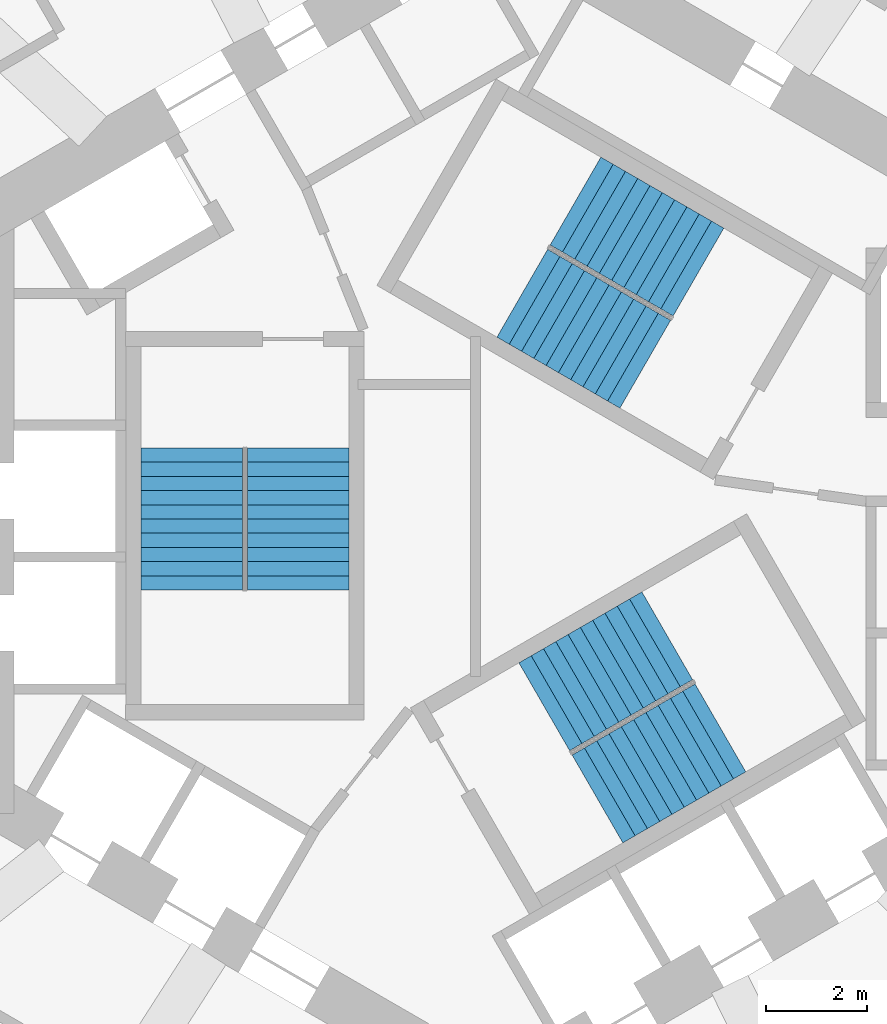
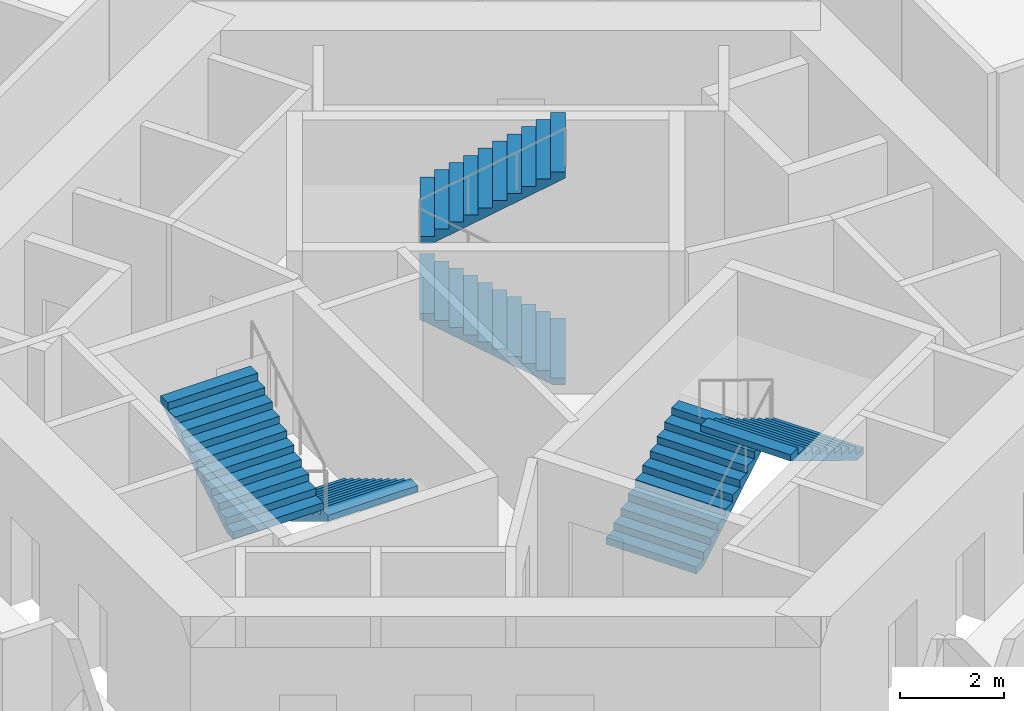
# One storey, part 9 of 11: 6 stair flights, 3 elements without a shape of their own.
"""IFC4 building model written with IfcOpenShell, lengths in metres."""

from ifc_helpers import new_model, si_unit, direction, frame, origin, place, context, subcontext, project, spatial, triangles, source, transform, mapped, material, type_object, element, aggregate, save


model = new_model("IFC4")

# Units and contexts
model_context = context("Model", 3, precision=1e-05, world=origin(), true_north=direction((0.0, 1.0)))
body_context = subcontext(model_context, "Body", "Model", "MODEL_VIEW")
ifc_project = project(units=[si_unit("LENGTHUNIT", "METRE"), si_unit("AREAUNIT", "SQUARE_METRE"), si_unit("VOLUMEUNIT", "CUBIC_METRE"), si_unit("PLANEANGLEUNIT", "RADIAN"), si_unit("MASSUNIT", "GRAM", prefix="KILO")], contexts=[model_context])

# Site, building, storey
site_placement = place(None, origin())
site = spatial("IfcSite", under=ifc_project, at=site_placement, CompositionType="ELEMENT")
building_placement = place(site_placement, origin())
building = spatial("IfcBuilding", under=site, at=building_placement, Name="Vanh Sen Convention Tower", CompositionType="ELEMENT")
storey_placement = place(building_placement, frame((0.0, 0.0, 202.10009765625)))
storey = spatial("IfcBuildingStorey", under=building, at=storey_placement, Name="L50", CompositionType="ELEMENT", Elevation=202.10009765625)

# Stair, stair flights
ifc_material_1 = material(Name="Concrete C50/60", Category="concrete")
stair_type_1 = type_object("IfcStairType", Name="Exit stair ST1 22 risers at 168.2", PredefinedType="HALF_TURN_STAIR", material=ifc_material_1)
stair_1_placement = place(storey_placement, origin())
stair_1 = element("IfcStair", 1, at=stair_1_placement, inside=storey, type_object=stair_type_1, Name="Exit stair ST1 L50", PredefinedType="HALF_TURN_STAIR")
ifc_material_2 = material(Name="Concrete C40/50", Category="concrete")
stair_flight_type = type_object("IfcStairFlightType", Name="Stair flight 2000", PredefinedType="STRAIGHT", material=ifc_material_2)
shared_shape = source(origin(), body_context, "Body", "Tessellation", [
    triangles([(0.24267578125, 1.0, 0.0), (0.0, 1.0, 0.0), (0.0, 1.0, 0.168212890625), (0.280029296875, 1.0, 0.168212890625), (0.280029296875, 1.0, 0.33642578125), (0.56005859375, 1.0, 0.33642578125), (0.56005859375, 1.0, 0.504638671875), (0.840087890625, 1.0, 0.504638671875), (0.840087890625, 1.0, 0.672607421875), (1.1201171875, 1.0, 0.672607421875), (1.1201171875, 1.0, 0.8408203125), (1.39990234375, 1.0, 0.8408203125), (1.39990234375, 1.0, 1.009033203125), (1.679931640625, 1.0, 1.009033203125), (1.679931640625, 1.0, 1.17724609375), (1.9599609375, 1.0, 1.17724609375), (1.9599609375, 1.0, 1.345458984375), (2.239990234375, 1.0, 1.345458984375), (2.239990234375, 1.0, 1.513671875), (2.52001953125, 1.0, 1.513671875), (2.52001953125, 1.0, 1.681884765625), (2.800048828125, 1.0, 1.681884765625), (2.800048828125, 1.0, 1.535888671875), (0.24267578125, -1.0, 0.0), (0.0, -1.0, 0.0), (0.0, -1.0, 0.168212890625), (0.280029296875, -1.0, 0.168212890625), (0.280029296875, -1.0, 0.33642578125), (0.56005859375, -1.0, 0.33642578125), (0.56005859375, -1.0, 0.504638671875), (0.840087890625, -1.0, 0.504638671875), (0.840087890625, -1.0, 0.672607421875), (1.1201171875, -1.0, 0.672607421875), (1.1201171875, -1.0, 0.8408203125), (1.39990234375, -1.0, 0.8408203125), (1.39990234375, -1.0, 1.009033203125), (1.679931640625, -1.0, 1.009033203125), (1.679931640625, -1.0, 1.17724609375), (1.9599609375, -1.0, 1.17724609375), (1.9599609375, -1.0, 1.345458984375), (2.239990234375, -1.0, 1.345458984375), (2.239990234375, -1.0, 1.513671875), (2.52001953125, -1.0, 1.513671875), (2.52001953125, -1.0, 1.681884765625), (2.800048828125, -1.0, 1.681884765625), (2.800048828125, -1.0, 1.535888671875), (0.0, 0.0400390625, 0.0), (0.0, 0.0390625, 0.0), (0.0, 0.0380859375, 0.0), (0.0, 0.037109375, 0.0), (0.0, 0.035888671875, 0.0), (0.0, 0.034912109375, 0.0), (0.0, 0.033935546875, 0.0), (0.0, 0.032958984375, 0.0), (0.0, 0.031982421875, 0.0), (0.0, 0.031005859375, 0.0), (0.0, 0.030029296875, 0.0), (0.0, 0.029052734375, 0.0), (0.0, 0.028076171875, 0.0), (0.0, 0.027099609375, 0.0), (0.0, 0.02587890625, 0.0), (0.0, 0.02490234375, 0.0), (0.0, 0.02392578125, 0.0), (0.0, 0.02294921875, 0.0), (0.0, 0.02197265625, 0.0), (0.0, 0.02099609375, 0.0), (0.0, 0.02001953125, 0.0), (0.0, 0.01904296875, 0.0), (0.0, 0.01806640625, 0.0), (0.0, 0.01708984375, 0.0), (0.0, 0.01611328125, 0.0), (0.0, 0.014892578125, 0.0), (0.0, 0.013916015625, 0.0), (0.0, 0.012939453125, 0.0), (0.0, 0.011962890625, 0.0), (0.0, 0.010986328125, 0.0), (0.0, 0.010009765625, 0.0), (0.0, 0.009033203125, 0.0), (0.0, 0.008056640625, 0.0), (0.0, 0.007080078125, 0.0), (0.0, 0.006103515625, 0.0), (0.0, 0.0048828125, 0.0), (0.0, 0.00390625, 0.0), (0.0, 0.0029296875, 0.0), (0.0, 0.001953125, 0.0), (0.0, 0.0009765625, 0.0), (0.0, 0.0, 0.0), (0.0, -0.0009765625, 0.0), (0.0, -0.001953125, 0.0), (0.0, -0.0029296875, 0.0), (0.0, -0.00390625, 0.0), (0.0, -0.0048828125, 0.0), (0.0, -0.006103515625, 0.0), (0.0, -0.007080078125, 0.0), (0.0, -0.008056640625, 0.0), (0.0, -0.009033203125, 0.0), (0.0, -0.010009765625, 0.0), (0.0, -0.010986328125, 0.0), (0.0, -0.011962890625, 0.0), (0.0, -0.012939453125, 0.0), (0.0, -0.013916015625, 0.0), (0.0, -0.014892578125, 0.0), (0.0, -0.01611328125, 0.0), (0.0, -0.01708984375, 0.0), (0.0, -0.01806640625, 0.0), (0.0, -0.01904296875, 0.0), (0.0, -0.02001953125, 0.0), (0.0, -0.02099609375, 0.0), (0.0, -0.02197265625, 0.0), (0.0, -0.02294921875, 0.0), (0.0, -0.02392578125, 0.0), (0.0, -0.02490234375, 0.0), (0.0, -0.02587890625, 0.0), (0.0, -0.027099609375, 0.0), (0.0, -0.028076171875, 0.0), (0.0, -0.029052734375, 0.0), (0.0, -0.030029296875, 0.0), (0.0, -0.031005859375, 0.0), (0.0, -0.031982421875, 0.0), (0.0, -0.032958984375, 0.0), (0.0, -0.033935546875, 0.0), (0.0, -0.034912109375, 0.0), (0.0, -0.035888671875, 0.0), (0.0, -0.037109375, 0.0), (0.0, -0.0380859375, 0.0), (0.0, -0.0390625, 0.0), (0.0, -0.0400390625, 0.0), (0.0, 0.0400390625, 0.168212890625), (0.0, 0.0390625, 0.168212890625), (0.0, 0.0380859375, 0.168212890625), (0.0, 0.037109375, 0.168212890625), (0.0, 0.035888671875, 0.168212890625), (0.0, 0.034912109375, 0.168212890625), (0.0, 0.033935546875, 0.168212890625), (0.0, 0.032958984375, 0.168212890625), (0.0, 0.031982421875, 0.168212890625), (0.0, 0.031005859375, 0.168212890625), (0.0, 0.030029296875, 0.168212890625), (0.0, 0.029052734375, 0.168212890625), (0.0, 0.028076171875, 0.168212890625), (0.0, 0.027099609375, 0.168212890625), (0.0, 0.02587890625, 0.168212890625), (0.0, 0.02490234375, 0.168212890625), (0.0, 0.02392578125, 0.168212890625), (0.0, 0.02294921875, 0.168212890625), (0.0, 0.02197265625, 0.168212890625), (0.0, 0.02099609375, 0.168212890625), (0.0, 0.02001953125, 0.168212890625), (0.0, 0.01904296875, 0.168212890625), (0.0, 0.01806640625, 0.168212890625), (0.0, 0.01708984375, 0.168212890625), (0.0, 0.01611328125, 0.168212890625), (0.0, 0.014892578125, 0.168212890625), (0.0, 0.013916015625, 0.168212890625), (0.0, 0.012939453125, 0.168212890625), (0.0, 0.011962890625, 0.168212890625), (0.0, 0.010986328125, 0.168212890625), (0.0, 0.010009765625, 0.168212890625), (0.0, 0.009033203125, 0.168212890625), (0.0, 0.008056640625, 0.168212890625), (0.0, 0.007080078125, 0.168212890625), (0.0, 0.006103515625, 0.168212890625), (0.0, 0.0048828125, 0.168212890625), (0.0, 0.00390625, 0.168212890625), (0.0, 0.0029296875, 0.168212890625), (0.0, 0.001953125, 0.168212890625), (0.0, 0.0009765625, 0.168212890625), (0.0, 0.0, 0.168212890625), (0.0, -0.0009765625, 0.168212890625), (0.0, -0.001953125, 0.168212890625), (0.0, -0.0029296875, 0.168212890625), (0.0, -0.00390625, 0.168212890625), (0.0, -0.0048828125, 0.168212890625), (0.0, -0.006103515625, 0.168212890625), (0.0, -0.007080078125, 0.168212890625), (0.0, -0.008056640625, 0.168212890625), (0.0, -0.009033203125, 0.168212890625), (0.0, -0.010009765625, 0.168212890625), (0.0, -0.010986328125, 0.168212890625), (0.0, -0.011962890625, 0.168212890625), (0.0, -0.012939453125, 0.168212890625), (0.0, -0.013916015625, 0.168212890625), (0.0, -0.014892578125, 0.168212890625), (0.0, -0.01611328125, 0.168212890625), (0.0, -0.01708984375, 0.168212890625), (0.0, -0.01806640625, 0.168212890625), (0.0, -0.01904296875, 0.168212890625), (0.0, -0.02001953125, 0.168212890625), (0.0, -0.02099609375, 0.168212890625), (0.0, -0.02197265625, 0.168212890625), (0.0, -0.02294921875, 0.168212890625), (0.0, -0.02392578125, 0.168212890625), (0.0, -0.02490234375, 0.168212890625), (0.0, -0.02587890625, 0.168212890625), (0.0, -0.027099609375, 0.168212890625), (0.0, -0.028076171875, 0.168212890625), (0.0, -0.029052734375, 0.168212890625), (0.0, -0.030029296875, 0.168212890625), (0.0, -0.031005859375, 0.168212890625), (0.0, -0.031982421875, 0.168212890625), (0.0, -0.032958984375, 0.168212890625), (0.0, -0.033935546875, 0.168212890625), (0.0, -0.034912109375, 0.168212890625), (0.0, -0.035888671875, 0.168212890625), (0.0, -0.037109375, 0.168212890625), (0.0, -0.0380859375, 0.168212890625), (0.0, -0.0390625, 0.168212890625), (0.0, -0.0400390625, 0.168212890625), (0.280029296875, 0.0, 0.168212890625), (0.280029296875, 0.0, 0.33642578125), (0.56005859375, 0.0, 0.33642578125), (0.56005859375, 0.0, 0.504638671875), (0.840087890625, 0.0, 0.504638671875), (0.840087890625, 0.0, 0.672607421875), (1.1201171875, 0.0, 0.672607421875), (1.1201171875, 0.0, 0.8408203125), (1.39990234375, 0.0, 0.8408203125), (1.39990234375, 0.0, 1.009033203125), (1.679931640625, 0.0, 1.009033203125), (1.679931640625, 0.0, 1.17724609375), (1.9599609375, 0.0, 1.17724609375), (1.9599609375, 0.0, 1.345458984375), (2.239990234375, 0.0, 1.345458984375), (2.239990234375, 0.0, 1.513671875), (2.52001953125, 0.0, 1.513671875), (2.52001953125, 0.0, 1.681884765625), (2.800048828125, 0.0400390625, 1.681884765625), (2.800048828125, 0.0390625, 1.681884765625), (2.800048828125, 0.0380859375, 1.681884765625), (2.800048828125, 0.037109375, 1.681884765625), (2.800048828125, 0.035888671875, 1.681884765625), (2.800048828125, 0.034912109375, 1.681884765625), (2.800048828125, 0.033935546875, 1.681884765625), (2.800048828125, 0.032958984375, 1.681884765625), (2.800048828125, 0.031982421875, 1.681884765625), (2.800048828125, 0.031005859375, 1.681884765625), (2.800048828125, 0.030029296875, 1.681884765625), (2.800048828125, 0.029052734375, 1.681884765625), (2.800048828125, 0.028076171875, 1.681884765625), (2.800048828125, 0.027099609375, 1.681884765625), (2.800048828125, 0.02587890625, 1.681884765625), (2.800048828125, 0.02490234375, 1.681884765625), (2.800048828125, 0.02392578125, 1.681884765625), (2.800048828125, 0.02294921875, 1.681884765625), (2.800048828125, 0.02197265625, 1.681884765625), (2.800048828125, 0.02099609375, 1.681884765625), (2.800048828125, 0.02001953125, 1.681884765625), (2.800048828125, 0.01904296875, 1.681884765625), (2.800048828125, 0.01806640625, 1.681884765625), (2.800048828125, 0.01708984375, 1.681884765625), (2.800048828125, 0.01611328125, 1.681884765625), (2.800048828125, 0.014892578125, 1.681884765625), (2.800048828125, 0.013916015625, 1.681884765625), (2.800048828125, 0.012939453125, 1.681884765625), (2.800048828125, 0.011962890625, 1.681884765625), (2.800048828125, 0.010986328125, 1.681884765625), (2.800048828125, 0.010009765625, 1.681884765625), (2.800048828125, 0.009033203125, 1.681884765625), (2.800048828125, 0.008056640625, 1.681884765625), (2.800048828125, 0.007080078125, 1.681884765625), (2.800048828125, 0.006103515625, 1.681884765625), (2.800048828125, 0.0048828125, 1.681884765625), (2.800048828125, 0.00390625, 1.681884765625), (2.800048828125, 0.0029296875, 1.681884765625), (2.800048828125, 0.001953125, 1.681884765625), (2.800048828125, 0.0009765625, 1.681884765625), (2.800048828125, 0.0, 1.681884765625), (2.800048828125, -0.0009765625, 1.681884765625), (2.800048828125, -0.001953125, 1.681884765625), (2.800048828125, -0.0029296875, 1.681884765625), (2.800048828125, -0.00390625, 1.681884765625), (2.800048828125, -0.0048828125, 1.681884765625), (2.800048828125, -0.006103515625, 1.681884765625), (2.800048828125, -0.007080078125, 1.681884765625), (2.800048828125, -0.008056640625, 1.681884765625), (2.800048828125, -0.009033203125, 1.681884765625), (2.800048828125, -0.010009765625, 1.681884765625), (2.800048828125, -0.010986328125, 1.681884765625), (2.800048828125, -0.011962890625, 1.681884765625), (2.800048828125, -0.012939453125, 1.681884765625), (2.800048828125, -0.013916015625, 1.681884765625), (2.800048828125, -0.014892578125, 1.681884765625), (2.800048828125, -0.01611328125, 1.681884765625), (2.800048828125, -0.01708984375, 1.681884765625), (2.800048828125, -0.01806640625, 1.681884765625), (2.800048828125, -0.01904296875, 1.681884765625), (2.800048828125, -0.02001953125, 1.681884765625), (2.800048828125, -0.02099609375, 1.681884765625), (2.800048828125, -0.02197265625, 1.681884765625), (2.800048828125, -0.02294921875, 1.681884765625), (2.800048828125, -0.02392578125, 1.681884765625), (2.800048828125, -0.02490234375, 1.681884765625), (2.800048828125, -0.02587890625, 1.681884765625), (2.800048828125, -0.027099609375, 1.681884765625), (2.800048828125, -0.028076171875, 1.681884765625), (2.800048828125, -0.029052734375, 1.681884765625), (2.800048828125, -0.030029296875, 1.681884765625), (2.800048828125, -0.031005859375, 1.681884765625), (2.800048828125, -0.031982421875, 1.681884765625), (2.800048828125, -0.032958984375, 1.681884765625), (2.800048828125, -0.033935546875, 1.681884765625), (2.800048828125, -0.034912109375, 1.681884765625), (2.800048828125, -0.035888671875, 1.681884765625), (2.800048828125, -0.037109375, 1.681884765625), (2.800048828125, -0.0380859375, 1.681884765625), (2.800048828125, -0.0390625, 1.681884765625), (2.800048828125, -0.0400390625, 1.681884765625), (2.800048828125, 0.0400390625, 1.535888671875), (2.800048828125, 0.0390625, 1.535888671875), (2.800048828125, 0.0380859375, 1.535888671875), (2.800048828125, 0.037109375, 1.535888671875), (2.800048828125, 0.035888671875, 1.535888671875), (2.800048828125, 0.034912109375, 1.535888671875), (2.800048828125, 0.033935546875, 1.535888671875), (2.800048828125, 0.032958984375, 1.535888671875), (2.800048828125, 0.031982421875, 1.535888671875), (2.800048828125, 0.031005859375, 1.535888671875), (2.800048828125, 0.030029296875, 1.535888671875), (2.800048828125, 0.029052734375, 1.535888671875), (2.800048828125, 0.028076171875, 1.535888671875), (2.800048828125, 0.027099609375, 1.535888671875), (2.800048828125, 0.02587890625, 1.535888671875), (2.800048828125, 0.02490234375, 1.535888671875), (2.800048828125, 0.02392578125, 1.535888671875), (2.800048828125, 0.02294921875, 1.535888671875), (2.800048828125, 0.02197265625, 1.535888671875), (2.800048828125, 0.02099609375, 1.535888671875), (2.800048828125, 0.02001953125, 1.535888671875), (2.800048828125, 0.01904296875, 1.535888671875), (2.800048828125, 0.01806640625, 1.535888671875), (2.800048828125, 0.01708984375, 1.535888671875), (2.800048828125, 0.01611328125, 1.535888671875), (2.800048828125, 0.014892578125, 1.535888671875), (2.800048828125, 0.013916015625, 1.535888671875), (2.800048828125, 0.012939453125, 1.535888671875), (2.800048828125, 0.011962890625, 1.535888671875), (2.800048828125, 0.010986328125, 1.535888671875), (2.800048828125, 0.010009765625, 1.535888671875), (2.800048828125, 0.009033203125, 1.535888671875), (2.800048828125, 0.008056640625, 1.535888671875), (2.800048828125, 0.007080078125, 1.535888671875), (2.800048828125, 0.006103515625, 1.535888671875), (2.800048828125, 0.0048828125, 1.535888671875), (2.800048828125, 0.00390625, 1.535888671875), (2.800048828125, 0.0029296875, 1.535888671875), (2.800048828125, 0.001953125, 1.535888671875), (2.800048828125, 0.0009765625, 1.535888671875), (2.800048828125, 0.0, 1.535888671875), (2.800048828125, -0.0009765625, 1.535888671875), (2.800048828125, -0.001953125, 1.535888671875), (2.800048828125, -0.0029296875, 1.535888671875), (2.800048828125, -0.00390625, 1.535888671875), (2.800048828125, -0.0048828125, 1.535888671875), (2.800048828125, -0.006103515625, 1.535888671875), (2.800048828125, -0.007080078125, 1.535888671875), (2.800048828125, -0.008056640625, 1.535888671875), (2.800048828125, -0.009033203125, 1.535888671875), (2.800048828125, -0.010009765625, 1.535888671875), (2.800048828125, -0.010986328125, 1.535888671875), (2.800048828125, -0.011962890625, 1.535888671875), (2.800048828125, -0.012939453125, 1.535888671875), (2.800048828125, -0.013916015625, 1.535888671875), (2.800048828125, -0.014892578125, 1.535888671875), (2.800048828125, -0.01611328125, 1.535888671875), (2.800048828125, -0.01708984375, 1.535888671875), (2.800048828125, -0.01806640625, 1.535888671875), (2.800048828125, -0.01904296875, 1.535888671875), (2.800048828125, -0.02001953125, 1.535888671875), (2.800048828125, -0.02099609375, 1.535888671875), (2.800048828125, -0.02197265625, 1.535888671875), (2.800048828125, -0.02294921875, 1.535888671875), (2.800048828125, -0.02392578125, 1.535888671875), (2.800048828125, -0.02490234375, 1.535888671875), (2.800048828125, -0.02587890625, 1.535888671875), (2.800048828125, -0.027099609375, 1.535888671875), (2.800048828125, -0.028076171875, 1.535888671875), (2.800048828125, -0.029052734375, 1.535888671875), (2.800048828125, -0.030029296875, 1.535888671875), (2.800048828125, -0.031005859375, 1.535888671875), (2.800048828125, -0.031982421875, 1.535888671875), (2.800048828125, -0.032958984375, 1.535888671875), (2.800048828125, -0.033935546875, 1.535888671875), (2.800048828125, -0.034912109375, 1.535888671875), (2.800048828125, -0.035888671875, 1.535888671875), (2.800048828125, -0.037109375, 1.535888671875), (2.800048828125, -0.0380859375, 1.535888671875), (2.800048828125, -0.0390625, 1.535888671875), (2.800048828125, -0.0400390625, 1.535888671875), (0.24267578125, 0.0, 0.0)], [[1, 2, 3], [1, 3, 4], [4, 5, 6], [1, 4, 6], [6, 7, 8], [1, 6, 8], [8, 9, 10], [1, 8, 10], [10, 11, 12], [1, 10, 12], [12, 13, 14], [1, 12, 14], [14, 15, 16], [1, 14, 16], [16, 17, 18], [1, 16, 18], [18, 19, 20], [1, 18, 20], [20, 21, 22], [1, 20, 22], [22, 23, 1], [24, 26, 25], [24, 27, 26], [27, 29, 28], [24, 29, 27], [29, 31, 30], [24, 31, 29], [31, 33, 32], [24, 33, 31], [33, 35, 34], [24, 35, 33], [35, 37, 36], [24, 37, 35], [37, 39, 38], [24, 39, 37], [39, 41, 40], [24, 41, 39], [41, 43, 42], [24, 43, 41], [43, 45, 44], [24, 45, 43], [45, 24, 46], [2, 128, 3], [2, 47, 128], [47, 129, 128], [47, 48, 129], [48, 130, 129], [48, 49, 130], [49, 131, 130], [49, 50, 131], [50, 132, 131], [50, 51, 132], [51, 133, 132], [51, 52, 133], [52, 134, 133], [52, 53, 134], [53, 135, 134], [53, 54, 135], [54, 136, 135], [54, 55, 136], [55, 137, 136], [55, 56, 137], [56, 138, 137], [56, 57, 138], [57, 139, 138], [57, 58, 139], [58, 140, 139], [58, 59, 140], [59, 141, 140], [59, 60, 141], [60, 142, 141], [60, 61, 142], [61, 143, 142], [61, 62, 143], [62, 144, 143], [62, 63, 144], [63, 145, 144], [63, 64, 145], [64, 146, 145], [64, 65, 146], [65, 147, 146], [65, 66, 147], [66, 148, 147], [66, 67, 148], [67, 149, 148], [67, 68, 149], [68, 150, 149], [68, 69, 150], [69, 151, 150], [69, 70, 151], [70, 152, 151], [70, 71, 152], [71, 153, 152], [71, 72, 153], [72, 154, 153], [72, 73, 154], [73, 155, 154], [73, 74, 155], [74, 156, 155], [74, 75, 156], [75, 157, 156], [75, 76, 157], [76, 158, 157], [76, 77, 158], [77, 159, 158], [77, 78, 159], [78, 160, 159], [78, 79, 160], [79, 161, 160], [79, 80, 161], [80, 162, 161], [80, 81, 162], [81, 163, 162], [81, 82, 163], [82, 164, 163], [82, 83, 164], [83, 165, 164], [83, 84, 165], [84, 166, 165], [84, 85, 166], [85, 167, 166], [85, 86, 167], [86, 168, 167], [86, 87, 168], [87, 88, 168], [168, 88, 169], [88, 89, 169], [169, 89, 170], [89, 90, 170], [170, 90, 171], [90, 91, 171], [171, 91, 172], [91, 92, 172], [172, 92, 173], [92, 93, 173], [173, 93, 174], [93, 94, 174], [174, 94, 175], [94, 95, 175], [175, 95, 176], [95, 96, 176], [176, 96, 177], [96, 97, 177], [177, 97, 178], [97, 98, 178], [178, 98, 179], [98, 99, 179], [179, 99, 180], [99, 100, 180], [180, 100, 181], [100, 101, 181], [181, 101, 182], [101, 102, 182], [182, 102, 183], [102, 103, 183], [183, 103, 184], [103, 104, 184], [184, 104, 185], [104, 105, 185], [185, 105, 186], [105, 106, 186], [186, 106, 187], [106, 107, 187], [187, 107, 188], [107, 108, 188], [188, 108, 189], [108, 109, 189], [189, 109, 190], [109, 110, 190], [190, 110, 191], [110, 111, 191], [191, 111, 192], [111, 112, 192], [192, 112, 193], [112, 113, 193], [193, 113, 194], [113, 114, 194], [194, 114, 195], [114, 115, 195], [195, 115, 196], [115, 116, 196], [196, 116, 197], [116, 117, 197], [197, 117, 198], [117, 118, 198], [198, 118, 199], [118, 119, 199], [199, 119, 200], [119, 120, 200], [200, 120, 201], [120, 121, 201], [201, 121, 202], [121, 122, 202], [202, 122, 203], [122, 123, 203], [203, 123, 204], [123, 124, 204], [204, 124, 205], [124, 125, 205], [205, 125, 206], [125, 126, 206], [206, 126, 207], [126, 127, 207], [207, 127, 208], [127, 25, 208], [208, 25, 26], [4, 3, 128], [4, 128, 129], [4, 129, 130], [4, 130, 131], [4, 131, 132], [4, 132, 133], [4, 133, 134], [4, 134, 135], [4, 135, 136], [4, 136, 137], [4, 137, 138], [4, 138, 139], [4, 139, 140], [4, 140, 141], [4, 141, 142], [4, 142, 143], [4, 143, 144], [4, 144, 145], [4, 145, 146], [4, 146, 147], [4, 147, 148], [4, 148, 149], [4, 149, 150], [4, 150, 151], [4, 151, 152], [4, 152, 153], [4, 153, 154], [4, 154, 155], [4, 155, 156], [4, 156, 157], [4, 157, 158], [4, 158, 159], [4, 159, 160], [4, 160, 161], [4, 161, 162], [4, 162, 163], [4, 163, 164], [4, 164, 165], [4, 165, 166], [4, 166, 167], [4, 167, 168], [27, 168, 169], [27, 169, 170], [27, 170, 171], [27, 171, 172], [27, 172, 173], [27, 173, 174], [27, 174, 175], [27, 175, 176], [27, 176, 177], [27, 177, 178], [27, 178, 179], [27, 179, 180], [27, 180, 181], [27, 181, 182], [27, 182, 183], [27, 183, 184], [27, 184, 185], [27, 185, 186], [27, 186, 187], [27, 187, 188], [27, 188, 189], [27, 189, 190], [27, 190, 191], [27, 191, 192], [27, 192, 193], [27, 193, 194], [27, 194, 195], [27, 195, 196], [27, 196, 197], [27, 197, 198], [27, 198, 199], [27, 199, 200], [27, 200, 201], [27, 201, 202], [27, 202, 203], [27, 203, 204], [27, 204, 205], [27, 205, 206], [27, 206, 207], [27, 207, 208], [27, 208, 26], [4, 168, 209], [27, 209, 168], [4, 210, 5], [4, 209, 210], [209, 27, 210], [210, 27, 28], [5, 211, 6], [5, 210, 211], [210, 28, 211], [211, 28, 29], [6, 212, 7], [6, 211, 212], [211, 29, 212], [212, 29, 30], [7, 213, 8], [7, 212, 213], [212, 30, 213], [213, 30, 31], [8, 214, 9], [8, 213, 214], [213, 31, 214], [214, 31, 32], [9, 215, 10], [9, 214, 215], [214, 32, 215], [215, 32, 33], [10, 216, 11], [10, 215, 216], [215, 33, 216], [216, 33, 34], [11, 217, 12], [11, 216, 217], [216, 34, 217], [217, 34, 35], [12, 218, 13], [12, 217, 218], [217, 35, 218], [218, 35, 36], [13, 219, 14], [13, 218, 219], [218, 36, 219], [219, 36, 37], [14, 220, 15], [14, 219, 220], [219, 37, 220], [220, 37, 38], [15, 221, 16], [15, 220, 221], [220, 38, 221], [221, 38, 39], [16, 222, 17], [16, 221, 222], [221, 39, 222], [222, 39, 40], [17, 223, 18], [17, 222, 223], [222, 40, 223], [223, 40, 41], [18, 224, 19], [18, 223, 224], [223, 41, 224], [224, 41, 42], [19, 225, 20], [19, 224, 225], [224, 42, 225], [225, 42, 43], [20, 226, 21], [20, 225, 226], [225, 43, 226], [226, 43, 44], [21, 227, 22], [21, 228, 227], [21, 229, 228], [21, 230, 229], [21, 231, 230], [21, 232, 231], [21, 233, 232], [21, 234, 233], [21, 235, 234], [21, 236, 235], [21, 237, 236], [21, 238, 237], [21, 239, 238], [21, 240, 239], [21, 241, 240], [21, 242, 241], [21, 243, 242], [21, 244, 243], [21, 245, 244], [21, 246, 245], [21, 247, 246], [21, 248, 247], [21, 249, 248], [21, 250, 249], [21, 251, 250], [21, 252, 251], [21, 253, 252], [21, 254, 253], [21, 255, 254], [21, 256, 255], [21, 257, 256], [21, 258, 257], [21, 259, 258], [21, 260, 259], [21, 261, 260], [21, 262, 261], [21, 263, 262], [21, 264, 263], [21, 265, 264], [21, 266, 265], [21, 267, 266], [44, 268, 267], [44, 269, 268], [44, 270, 269], [44, 271, 270], [44, 272, 271], [44, 273, 272], [44, 274, 273], [44, 275, 274], [44, 276, 275], [44, 277, 276], [44, 278, 277], [44, 279, 278], [44, 280, 279], [44, 281, 280], [44, 282, 281], [44, 283, 282], [44, 284, 283], [44, 285, 284], [44, 286, 285], [44, 287, 286], [44, 288, 287], [44, 289, 288], [44, 290, 289], [44, 291, 290], [44, 292, 291], [44, 293, 292], [44, 294, 293], [44, 295, 294], [44, 296, 295], [44, 297, 296], [44, 298, 297], [44, 299, 298], [44, 300, 299], [44, 301, 300], [44, 302, 301], [44, 303, 302], [44, 304, 303], [44, 305, 304], [44, 306, 305], [44, 307, 306], [44, 45, 307], [21, 226, 267], [44, 267, 226], [22, 308, 23], [22, 227, 308], [227, 309, 308], [227, 228, 309], [228, 310, 309], [228, 229, 310], [229, 311, 310], [229, 230, 311], [230, 312, 311], [230, 231, 312], [231, 313, 312], [231, 232, 313], [232, 314, 313], [232, 233, 314], [233, 315, 314], [233, 234, 315], [234, 316, 315], [234, 235, 316], [235, 317, 316], [235, 236, 317], [236, 318, 317], [236, 237, 318], [237, 319, 318], [237, 238, 319], [238, 320, 319], [238, 239, 320], [239, 321, 320], [239, 240, 321], [240, 322, 321], [240, 241, 322], [241, 323, 322], [241, 242, 323], [242, 324, 323], [242, 243, 324], [243, 325, 324], [243, 244, 325], [244, 326, 325], [244, 245, 326], [245, 327, 326], [245, 246, 327], [246, 328, 327], [246, 247, 328], [247, 329, 328], [247, 248, 329], [248, 330, 329], [248, 249, 330], [249, 331, 330], [249, 250, 331], [250, 332, 331], [250, 251, 332], [251, 333, 332], [251, 252, 333], [252, 334, 333], [252, 253, 334], [253, 335, 334], [253, 254, 335], [254, 336, 335], [254, 255, 336], [255, 337, 336], [255, 256, 337], [256, 338, 337], [256, 257, 338], [257, 339, 338], [257, 258, 339], [258, 340, 339], [258, 259, 340], [259, 341, 340], [259, 260, 341], [260, 342, 341], [260, 261, 342], [261, 343, 342], [261, 262, 343], [262, 344, 343], [262, 263, 344], [263, 345, 344], [263, 264, 345], [264, 346, 345], [264, 265, 346], [265, 347, 346], [265, 266, 347], [266, 348, 347], [266, 267, 348], [267, 268, 348], [348, 268, 349], [268, 269, 349], [349, 269, 350], [269, 270, 350], [350, 270, 351], [270, 271, 351], [351, 271, 352], [271, 272, 352], [352, 272, 353], [272, 273, 353], [353, 273, 354], [273, 274, 354], [354, 274, 355], [274, 275, 355], [355, 275, 356], [275, 276, 356], [356, 276, 357], [276, 277, 357], [357, 277, 358], [277, 278, 358], [358, 278, 359], [278, 279, 359], [359, 279, 360], [279, 280, 360], [360, 280, 361], [280, 281, 361], [361, 281, 362], [281, 282, 362], [362, 282, 363], [282, 283, 363], [363, 283, 364], [283, 284, 364], [364, 284, 365], [284, 285, 365], [365, 285, 366], [285, 286, 366], [366, 286, 367], [286, 287, 367], [367, 287, 368], [287, 288, 368], [368, 288, 369], [288, 289, 369], [369, 289, 370], [289, 290, 370], [370, 290, 371], [290, 291, 371], [371, 291, 372], [291, 292, 372], [372, 292, 373], [292, 293, 373], [373, 293, 374], [293, 294, 374], [374, 294, 375], [294, 295, 375], [375, 295, 376], [295, 296, 376], [376, 296, 377], [296, 297, 377], [377, 297, 378], [297, 298, 378], [378, 298, 379], [298, 299, 379], [379, 299, 380], [299, 300, 380], [380, 300, 381], [300, 301, 381], [381, 301, 382], [301, 302, 382], [382, 302, 383], [302, 303, 383], [383, 303, 384], [303, 304, 384], [384, 304, 385], [304, 305, 385], [385, 305, 386], [305, 306, 386], [386, 306, 387], [306, 307, 387], [387, 307, 388], [307, 45, 388], [388, 45, 46], [1, 23, 308], [1, 308, 309], [1, 309, 310], [1, 310, 311], [1, 311, 312], [1, 312, 313], [1, 313, 314], [1, 314, 315], [1, 315, 316], [1, 316, 317], [1, 317, 318], [1, 318, 319], [1, 319, 320], [1, 320, 321], [1, 321, 322], [1, 322, 323], [1, 323, 324], [1, 324, 325], [1, 325, 326], [1, 326, 327], [1, 327, 328], [1, 328, 329], [1, 329, 330], [1, 330, 331], [1, 331, 332], [1, 332, 333], [1, 333, 334], [1, 334, 335], [1, 335, 336], [1, 336, 337], [1, 337, 338], [1, 338, 339], [1, 339, 340], [1, 340, 341], [1, 341, 342], [1, 342, 343], [1, 343, 344], [1, 344, 345], [1, 345, 346], [1, 346, 347], [1, 347, 348], [24, 348, 349], [24, 349, 350], [24, 350, 351], [24, 351, 352], [24, 352, 353], [24, 353, 354], [24, 354, 355], [24, 355, 356], [24, 356, 357], [24, 357, 358], [24, 358, 359], [24, 359, 360], [24, 360, 361], [24, 361, 362], [24, 362, 363], [24, 363, 364], [24, 364, 365], [24, 365, 366], [24, 366, 367], [24, 367, 368], [24, 368, 369], [24, 369, 370], [24, 370, 371], [24, 371, 372], [24, 372, 373], [24, 373, 374], [24, 374, 375], [24, 375, 376], [24, 376, 377], [24, 377, 378], [24, 378, 379], [24, 379, 380], [24, 380, 381], [24, 381, 382], [24, 382, 383], [24, 383, 384], [24, 384, 385], [24, 385, 386], [24, 386, 387], [24, 387, 388], [24, 388, 46], [1, 348, 389], [24, 389, 348], [1, 47, 2], [1, 48, 47], [1, 49, 48], [1, 50, 49], [1, 51, 50], [1, 52, 51], [1, 53, 52], [1, 54, 53], [1, 55, 54], [1, 56, 55], [1, 57, 56], [1, 58, 57], [1, 59, 58], [1, 60, 59], [1, 61, 60], [1, 62, 61], [1, 63, 62], [1, 64, 63], [1, 65, 64], [1, 66, 65], [1, 67, 66], [1, 68, 67], [1, 69, 68], [1, 70, 69], [1, 71, 70], [1, 72, 71], [1, 73, 72], [1, 74, 73], [1, 75, 74], [1, 76, 75], [1, 77, 76], [1, 78, 77], [1, 79, 78], [1, 80, 79], [1, 81, 80], [1, 82, 81], [1, 83, 82], [1, 84, 83], [1, 85, 84], [1, 86, 85], [1, 87, 86], [24, 88, 87], [24, 89, 88], [24, 90, 89], [24, 91, 90], [24, 92, 91], [24, 93, 92], [24, 94, 93], [24, 95, 94], [24, 96, 95], [24, 97, 96], [24, 98, 97], [24, 99, 98], [24, 100, 99], [24, 101, 100], [24, 102, 101], [24, 103, 102], [24, 104, 103], [24, 105, 104], [24, 106, 105], [24, 107, 106], [24, 108, 107], [24, 109, 108], [24, 110, 109], [24, 111, 110], [24, 112, 111], [24, 113, 112], [24, 114, 113], [24, 115, 114], [24, 116, 115], [24, 117, 116], [24, 118, 117], [24, 119, 118], [24, 120, 119], [24, 121, 120], [24, 122, 121], [24, 123, 122], [24, 124, 123], [24, 125, 124], [24, 126, 125], [24, 127, 126], [24, 25, 127], [1, 389, 87], [24, 87, 389]], closed=True),
])
stair_flight_1_placement = place(storey_placement, frame((2.94580078125, 2.802490234375, 0.0), z_axis=(0.0, 0.0, 1.0), x_axis=(-0.866025403784, 0.5, 0.0)))
stair_flight_1 = element("IfcStairFlight", 2, at=stair_flight_1_placement, type_object=stair_flight_type, Name="ST1 flight 1", NumberOfRisers=11, NumberOfTreads=10, PredefinedType="STRAIGHT", RiserHeight=0.168181818, TreadLength=0.28, context=body_context, shape_type="MappedRepresentation", body=[
    mapped(shared_shape, transform((0.0, 0.0, 0.0))),
])
stair_flight_2_placement = place(storey_placement, frame((1.571044921875, 6.021240234375, 1.849853515625), z_axis=(0.0, 0.0, 1.0), x_axis=(0.866025403784, -0.5, 0.0)))
stair_flight_2 = element("IfcStairFlight", 3, at=stair_flight_2_placement, type_object=stair_flight_type, Name="ST1 flight 2", NumberOfRisers=11, NumberOfTreads=10, PredefinedType="STRAIGHT", RiserHeight=0.168181818, TreadLength=0.28, context=body_context, shape_type="MappedRepresentation", body=[
    mapped(shared_shape, transform((0.0, 0.0, 0.0))),
])
aggregate(stair_1, [stair_flight_1, stair_flight_2])

stair_type_2 = type_object("IfcStairType", Name="Exit stair ST2 22 risers at 168.2", PredefinedType="HALF_TURN_STAIR", material=ifc_material_1)
stair_2_placement = place(storey_placement, origin())
stair_2 = element("IfcStair", 4, at=stair_2_placement, inside=storey, type_object=stair_type_2, Name="Exit stair ST2 L50", PredefinedType="HALF_TURN_STAIR")
stair_flight_3_placement = place(storey_placement, frame((-3.89990234375, 1.14990234375, 0.0), z_axis=(0.0, 0.0, 1.0), x_axis=(0.0, -1.0, 0.0)))
stair_flight_3 = element("IfcStairFlight", 5, at=stair_flight_3_placement, type_object=stair_flight_type, Name="ST2 flight 1", NumberOfRisers=11, NumberOfTreads=10, PredefinedType="STRAIGHT", RiserHeight=0.168181818, TreadLength=0.28, context=body_context, shape_type="MappedRepresentation", body=[
    mapped(shared_shape, transform((0.0, 0.0, 0.0))),
])
stair_flight_4_placement = place(storey_placement, frame((-6.0, -1.64990234375, 1.849853515625), z_axis=(0.0, 0.0, 1.0), x_axis=(0.0, 1.0, 0.0)))
stair_flight_4 = element("IfcStairFlight", 6, at=stair_flight_4_placement, type_object=stair_flight_type, Name="ST2 flight 2", NumberOfRisers=11, NumberOfTreads=10, PredefinedType="STRAIGHT", RiserHeight=0.168181818, TreadLength=0.28, context=body_context, shape_type="MappedRepresentation", body=[
    mapped(shared_shape, transform((0.0, 0.0, 0.0))),
])
aggregate(stair_2, [stair_flight_3, stair_flight_4])

stair_type_3 = type_object("IfcStairType", Name="Exit stair ST3 22 risers at 168.2", PredefinedType="HALF_TURN_STAIR", material=ifc_material_1)
stair_3_placement = place(storey_placement, origin())
stair_3 = element("IfcStair", 7, at=stair_3_placement, inside=storey, type_object=stair_type_3, Name="Exit stair ST3 L50", PredefinedType="HALF_TURN_STAIR")
stair_flight_5_placement = place(storey_placement, frame((0.9541015625, -3.952392578125, 0.0), z_axis=(0.0, 0.0, 1.0), x_axis=(0.866025403784, 0.5, 0.0)))
stair_flight_5 = element("IfcStairFlight", 8, at=stair_flight_5_placement, type_object=stair_flight_type, Name="ST3 flight 1", NumberOfRisers=11, NumberOfTreads=10, PredefinedType="STRAIGHT", RiserHeight=0.168181818, TreadLength=0.28, context=body_context, shape_type="MappedRepresentation", body=[
    mapped(shared_shape, transform((0.0, 0.0, 0.0))),
])
stair_flight_6_placement = place(storey_placement, frame((4.428955078125, -4.37109375, 1.849853515625), z_axis=(0.0, 0.0, 1.0), x_axis=(-0.866025403784, -0.5, 0.0)))
stair_flight_6 = element("IfcStairFlight", 9, at=stair_flight_6_placement, type_object=stair_flight_type, Name="ST3 flight 2", NumberOfRisers=11, NumberOfTreads=10, PredefinedType="STRAIGHT", RiserHeight=0.168181818, TreadLength=0.28, context=body_context, shape_type="MappedRepresentation", body=[
    mapped(shared_shape, transform((0.0, 0.0, 0.0))),
])
aggregate(stair_3, [stair_flight_5, stair_flight_6])

save(model, "model.ifc")
